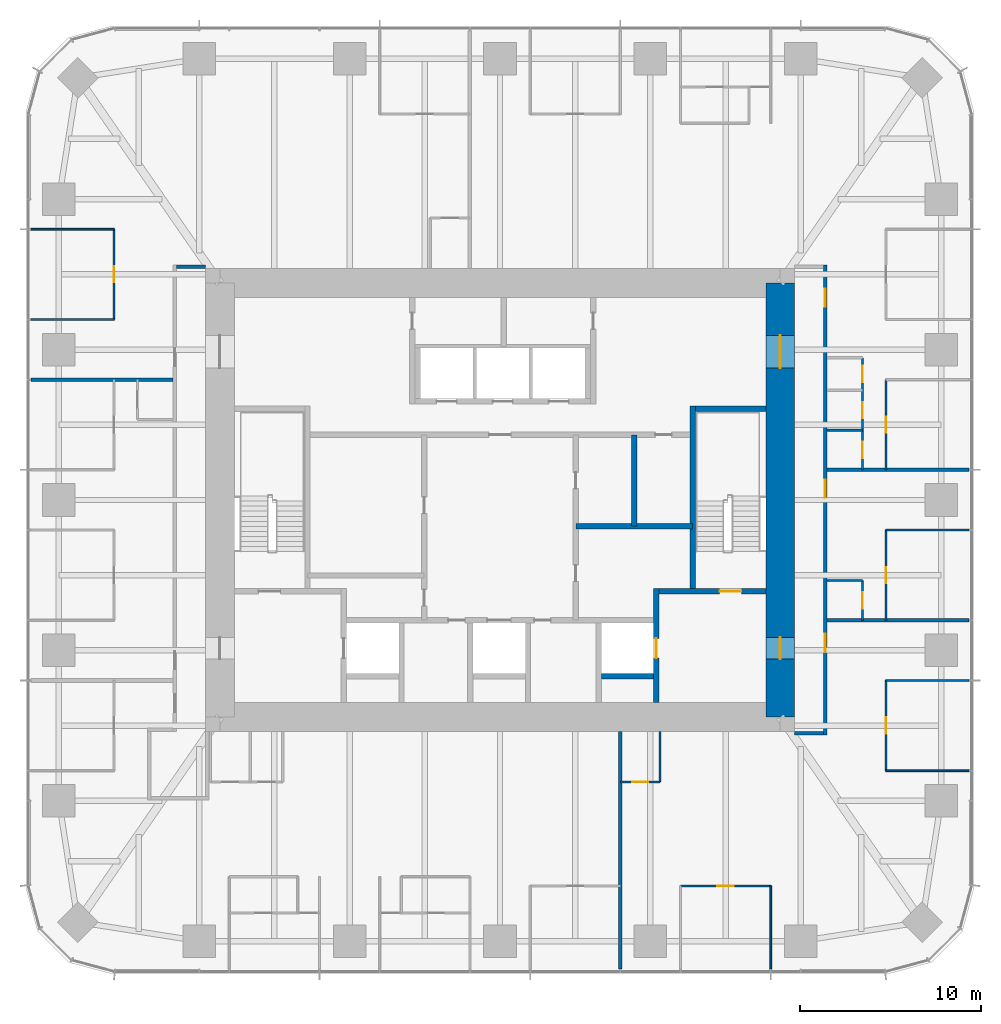
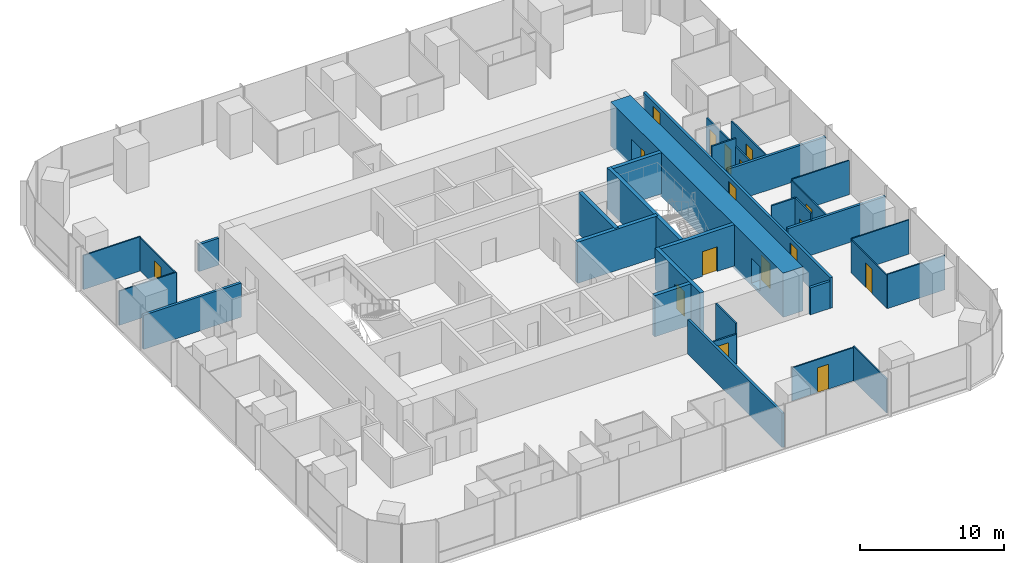
# One storey, part 10 of 12: 32 walls, 17 doors, 17 openings.
"""IFC4 building model written with IfcOpenShell, lengths in metres."""

from ifc_helpers import new_model, si_unit, direction, frame, frame_2d, origin, place, context, subcontext, project, spatial, rectangle, extrude, material, layer, layer_set, type_object, element, fill, save


model = new_model("IFC4")

# Units and contexts
model_context = context("Model", 3, precision=1e-05, world=origin(), true_north=direction((0.0, 1.0)))
body_context = subcontext(model_context, "Body", "Model", "MODEL_VIEW")
ifc_project = project(units=[si_unit("LENGTHUNIT", "METRE"), si_unit("AREAUNIT", "SQUARE_METRE"), si_unit("VOLUMEUNIT", "CUBIC_METRE"), si_unit("PLANEANGLEUNIT", "RADIAN"), si_unit("MASSUNIT", "GRAM", prefix="KILO")], contexts=[model_context])

# Site, building, storey
site_placement = place(None, origin())
site = spatial("IfcSite", under=ifc_project, at=site_placement, CompositionType="ELEMENT")
building_placement = place(site_placement, origin())
building = spatial("IfcBuilding", under=site, at=building_placement, Name="Khuree Lantern Residences", CompositionType="ELEMENT")
storey_placement = place(building_placement, frame((0.0, 0.0, 229.5)))
storey = spatial("IfcBuildingStorey", under=building, at=storey_placement, Name="L57", CompositionType="ELEMENT", Elevation=229.5)

# Wall, opening, door
ifc_material_1 = material(Name="Moisture-resistant gypsum board on steel studs", Category="steel")
ifc_layer_1 = layer(ifc_material_1, 0.125)
ifc_layer_set_1 = layer_set([ifc_layer_1], Name="BATHROOM WALL BTW125")
wall_type_1 = type_object("IfcWallType", Name="BATHROOM WALL BTW125", PredefinedType="PARTITIONING", material=ifc_layer_set_1)
wall_1_placement = place(storey_placement, frame((20.050048828125, -6.656005859375, 0.0), z_axis=(0.0, 0.0, 1.0), x_axis=(0.0, 1.0, 0.0)))
wall_1 = element("IfcWall", 1, at=wall_1_placement, inside=storey, type_object=wall_type_1, Name="L57 BATHROOM WALL 01", PredefinedType="PARTITIONING", context=body_context, shape_type="SweptSolid", body=[
    extrude(rectangle(XDim=2.199951171875, YDim=0.125, at=frame_2d((1.10009765625, 0.0))), origin(), (0.0, 0.0, 1.0), 3.5),
])
opening_1_placement = place(wall_1_placement, frame((0.64990234375, 0.0, 0.0)))
opening_1 = element("IfcOpeningElement", 2, at=opening_1_placement, cuts=wall_1, Name="Opening 57-024", PredefinedType="OPENING", context=body_context, shape_type="SweptSolid", body=[
    extrude(rectangle(XDim=0.89990234375, YDim=2.10009765625, at=frame_2d((0.449951171875, 1.050048828125))), frame((0.0, 0.072509765625, 0.0), z_axis=(0.0, -1.0, 0.0), x_axis=(1.0, 0.0, 0.0)), (0.0, 0.0, 1.0), 0.14501953125),
])
ifc_material_2 = material(Name="Timber door leaf in hardwood frame", Category="wood")
door_type_1 = type_object("IfcDoorType", Name="BATHROOM DOOR 900X2100", OperationType="SINGLE_SWING_LEFT", PredefinedType="DOOR", material=ifc_material_2)
door_1_placement = place(opening_1_placement, origin())
door_1 = element("IfcDoor", 3, at=door_1_placement, inside=storey, type_object=door_type_1, Name="Bathroom door 57-024", OperationType="SINGLE_SWING_LEFT", OverallHeight=2.10009765625, OverallWidth=0.89990234375, PredefinedType="DOOR", context=body_context, shape_type="SweptSolid", body=[
    extrude(rectangle(XDim=0.89990234375, YDim=2.10009765625, at=frame_2d((0.449951171875, 1.050048828125))), frame((0.0, 0.02490234375, 0.0), z_axis=(0.0, -1.0, 0.0), x_axis=(1.0, 0.0, 0.0)), (0.0, 0.0, 1.0), 0.050048828125),
])
fill(opening_1, door_1)

# Wall
wall_2_placement = place(storey_placement, frame((18.10009765625, -4.4560546875, 0.0), z_axis=(0.0, 0.0, 1.0), x_axis=(1.0, 0.0, 0.0)))
element("IfcWall", 4, at=wall_2_placement, inside=storey, type_object=wall_type_1, Name="L57 BATHROOM WALL 01", PredefinedType="PARTITIONING", context=body_context, shape_type="SweptSolid", body=[
    extrude(rectangle(XDim=1.949951171875, YDim=0.125, at=frame_2d((0.97509765625, 0.0))), origin(), (0.0, 0.0, 1.0), 3.5),
])

# Wall, openings, doors
wall_3_placement = place(storey_placement, frame((20.050048828125, 1.6640625, 0.0), z_axis=(0.0, 0.0, 1.0), x_axis=(0.0, 1.0, 0.0)))
wall_3 = element("IfcWall", 5, at=wall_3_placement, inside=storey, type_object=wall_type_1, Name="L57 BATHROOM WALL 02", PredefinedType="PARTITIONING", context=body_context, shape_type="SweptSolid", body=[
    extrude(rectangle(XDim=6.199951171875, YDim=0.125, at=frame_2d((3.10009765625, 0.0))), origin(), (0.0, 0.0, 1.0), 2.81005859375),
])
opening_2_placement = place(wall_3_placement, frame((0.64990234375, 0.0, 0.0)))
opening_2 = element("IfcOpeningElement", 6, at=opening_2_placement, cuts=wall_3, Name="Opening 57-031", PredefinedType="OPENING", context=body_context, shape_type="SweptSolid", body=[
    extrude(rectangle(XDim=0.89990234375, YDim=2.10009765625, at=frame_2d((0.449951171875, 1.050048828125))), frame((0.0, 0.072509765625, 0.0), z_axis=(0.0, -1.0, 0.0), x_axis=(1.0, 0.0, 0.0)), (0.0, 0.0, 1.0), 0.14501953125),
])
opening_3_placement = place(wall_3_placement, frame((2.85009765625, 0.0, 0.0)))
opening_3 = element("IfcOpeningElement", 7, at=opening_3_placement, cuts=wall_3, Name="Opening 57-032", PredefinedType="OPENING", context=body_context, shape_type="SweptSolid", body=[
    extrude(rectangle(XDim=0.89990234375, YDim=2.10009765625, at=frame_2d((0.449951171875, 1.050048828125))), frame((0.0, 0.072509765625, 0.0), z_axis=(0.0, -1.0, 0.0), x_axis=(1.0, 0.0, 0.0)), (0.0, 0.0, 1.0), 0.14501953125),
])
opening_4_placement = place(wall_3_placement, frame((4.85009765625, 0.0, 0.0)))
opening_4 = element("IfcOpeningElement", 8, at=opening_4_placement, cuts=wall_3, Name="Opening 57-033", PredefinedType="OPENING", context=body_context, shape_type="SweptSolid", body=[
    extrude(rectangle(XDim=0.89990234375, YDim=2.10009765625, at=frame_2d((0.449951171875, 1.050048828125))), frame((0.0, 0.072509765625, 0.0), z_axis=(0.0, -1.0, 0.0), x_axis=(1.0, 0.0, 0.0)), (0.0, 0.0, 1.0), 0.14501953125),
])
door_2_placement = place(opening_2_placement, origin())
door_2 = element("IfcDoor", 9, at=door_2_placement, inside=storey, type_object=door_type_1, Name="Bathroom door 57-031", OperationType="SINGLE_SWING_LEFT", OverallHeight=2.10009765625, OverallWidth=0.89990234375, PredefinedType="DOOR", context=body_context, shape_type="SweptSolid", body=[
    extrude(rectangle(XDim=0.89990234375, YDim=2.10009765625, at=frame_2d((0.449951171875, 1.050048828125))), frame((0.0, 0.02490234375, 0.0), z_axis=(0.0, -1.0, 0.0), x_axis=(1.0, 0.0, 0.0)), (0.0, 0.0, 1.0), 0.050048828125),
])
fill(opening_2, door_2)
door_3_placement = place(opening_3_placement, origin())
door_3 = element("IfcDoor", 10, at=door_3_placement, inside=storey, type_object=door_type_1, Name="Bathroom door 57-032", OperationType="SINGLE_SWING_LEFT", OverallHeight=2.10009765625, OverallWidth=0.89990234375, PredefinedType="DOOR", context=body_context, shape_type="SweptSolid", body=[
    extrude(rectangle(XDim=0.89990234375, YDim=2.10009765625, at=frame_2d((0.449951171875, 1.050048828125))), frame((0.0, 0.02490234375, 0.0), z_axis=(0.0, -1.0, 0.0), x_axis=(1.0, 0.0, 0.0)), (0.0, 0.0, 1.0), 0.050048828125),
])
fill(opening_3, door_3)
door_type_2 = type_object("IfcDoorType", Name="DOOR 900X2100", OperationType="SINGLE_SWING_LEFT", PredefinedType="DOOR", material=ifc_material_2)
door_4_placement = place(opening_4_placement, origin())
door_4 = element("IfcDoor", 11, at=door_4_placement, inside=storey, type_object=door_type_2, Name="Store door 57-033", OperationType="SINGLE_SWING_LEFT", OverallHeight=2.10009765625, OverallWidth=0.89990234375, PredefinedType="DOOR", context=body_context, shape_type="SweptSolid", body=[
    extrude(rectangle(XDim=0.89990234375, YDim=2.10009765625, at=frame_2d((0.449951171875, 1.050048828125))), frame((0.0, 0.02490234375, 0.0), z_axis=(0.0, -1.0, 0.0), x_axis=(1.0, 0.0, 0.0)), (0.0, 0.0, 1.0), 0.050048828125),
])
fill(opening_4, door_4)

# Wall
wall_4_placement = place(storey_placement, frame((18.10009765625, 3.864013671875, 0.0), z_axis=(0.0, 0.0, 1.0), x_axis=(1.0, 0.0, 0.0)))
element("IfcWall", 12, at=wall_4_placement, inside=storey, type_object=wall_type_1, Name="L57 BATHROOM WALL 02", PredefinedType="PARTITIONING", context=body_context, shape_type="SweptSolid", body=[
    extrude(rectangle(XDim=1.949951171875, YDim=0.125, at=frame_2d((0.97509765625, 0.0))), origin(), (0.0, 0.0, 1.0), 3.5),
])

# Wall, opening, door
wall_5_placement = place(storey_placement, frame((6.656005859375, -15.60009765625, 0.0), z_axis=(0.0, 0.0, 1.0), x_axis=(1.0, 0.0, 0.0)))
wall_5 = element("IfcWall", 13, at=wall_5_placement, inside=storey, type_object=wall_type_1, Name="L57 BATHROOM WALL 06", PredefinedType="PARTITIONING", context=body_context, shape_type="SweptSolid", body=[
    extrude(rectangle(XDim=2.199951171875, YDim=0.125, at=frame_2d((1.10009765625, 0.0))), origin(), (0.0, 0.0, 1.0), 2.60009765625),
])
opening_5_placement = place(wall_5_placement, frame((0.64990234375, 0.0, 0.0)))
opening_5 = element("IfcOpeningElement", 14, at=opening_5_placement, cuts=wall_5, Name="Opening 57-054", PredefinedType="OPENING", context=body_context, shape_type="SweptSolid", body=[
    extrude(rectangle(XDim=0.89990234375, YDim=2.10009765625, at=frame_2d((0.449951171875, 1.050048828125))), frame((0.0, 0.072509765625, 0.0), z_axis=(0.0, -1.0, 0.0), x_axis=(1.0, 0.0, 0.0)), (0.0, 0.0, 1.0), 0.14501953125),
])
door_5_placement = place(opening_5_placement, origin())
door_5 = element("IfcDoor", 15, at=door_5_placement, inside=storey, type_object=door_type_1, Name="Bathroom door 57-054", OperationType="SINGLE_SWING_LEFT", OverallHeight=2.10009765625, OverallWidth=0.89990234375, PredefinedType="DOOR", context=body_context, shape_type="SweptSolid", body=[
    extrude(rectangle(XDim=0.89990234375, YDim=2.10009765625, at=frame_2d((0.449951171875, 1.050048828125))), frame((0.0, 0.02490234375, 0.0), z_axis=(0.0, -1.0, 0.0), x_axis=(1.0, 0.0, 0.0)), (0.0, 0.0, 1.0), 0.050048828125),
])
fill(opening_5, door_5)

# Wall
wall_6_placement = place(storey_placement, frame((8.85595703125, -12.800048828125, 0.0), z_axis=(0.0, 0.0, 1.0), x_axis=(0.0, -1.0, 0.0)))
element("IfcWall", 16, at=wall_6_placement, inside=storey, type_object=wall_type_1, Name="L57 BATHROOM WALL 06", PredefinedType="PARTITIONING", context=body_context, shape_type="SweptSolid", body=[
    extrude(rectangle(XDim=2.800048828125, YDim=0.125, at=frame_2d((1.39990234375, 0.0))), origin(), (0.0, 0.0, 1.0), 3.5),
])

# Wall, opening, door
ifc_material_3 = material(Name="Dense concrete blockwork", Category="masonry")
ifc_layer_2 = layer(ifc_material_3, 0.300048828125)
ifc_layer_set_2 = layer_set([ifc_layer_2], Name="CORE PARTITION WALL CPW300 EI 120")
wall_type_2 = type_object("IfcWallType", Name="CORE PARTITION WALL CPW300 EI 120", PredefinedType="PARTITIONING", material=ifc_layer_set_2)
wall_7_placement = place(storey_placement, frame((8.64990234375, -11.199951171875, 0.0), z_axis=(0.0, 0.0, 1.0), x_axis=(0.0, 1.0, 0.0)))
wall_7 = element("IfcWall", 17, at=wall_7_placement, inside=storey, type_object=wall_type_2, Name="L57 CORE WALL FL2E", PredefinedType="PARTITIONING", context=body_context, shape_type="SweptSolid", body=[
    extrude(rectangle(XDim=6.300048828125, YDim=0.300048828125, at=frame_2d((3.14990234375, 0.0))), origin(), (0.0, 0.0, 1.0), 3.5),
])
opening_6_placement = place(wall_7_placement, frame((2.449951171875, 0.0, 0.0)))
opening_6 = element("IfcOpeningElement", 18, at=opening_6_placement, cuts=wall_7, Name="Opening 57-008", PredefinedType="OPENING", context=body_context, shape_type="SweptSolid", body=[
    extrude(rectangle(XDim=1.10009765625, YDim=2.10009765625, at=frame_2d((0.550048828125, 1.050048828125))), frame((0.0, 0.16015625, 0.0), z_axis=(0.0, -1.0, 0.0), x_axis=(1.0, 0.0, 0.0)), (0.0, 0.0, 1.0), 0.320068359375),
])
ifc_material_4 = material(Name="Stainless steel lift landing door", Category="steel")
door_type_3 = type_object("IfcDoorType", Name="LIFT LANDING DOOR 1100X2100 E 120", OperationType="DOUBLE_DOOR_SLIDING", PredefinedType="DOOR", material=ifc_material_4)
door_6_placement = place(opening_6_placement, origin())
door_6 = element("IfcDoor", 19, at=door_6_placement, inside=storey, type_object=door_type_3, Name="Landing door FL2 57-008", OperationType="DOUBLE_DOOR_SLIDING", OverallHeight=2.10009765625, OverallWidth=1.10009765625, PredefinedType="DOOR", context=body_context, shape_type="SweptSolid", body=[
    extrude(rectangle(XDim=1.10009765625, YDim=2.10009765625, at=frame_2d((0.550048828125, 1.050048828125))), frame((0.0, 0.02490234375, 0.0), z_axis=(0.0, -1.0, 0.0), x_axis=(1.0, 0.0, 0.0)), (0.0, 0.0, 1.0), 0.050048828125),
])
fill(opening_6, door_6)

# Walls
wall_8_placement = place(storey_placement, frame((5.60009765625, -9.75, 0.0), z_axis=(0.0, 0.0, 1.0), x_axis=(1.0, 0.0, 0.0)))
element("IfcWall", 20, at=wall_8_placement, inside=storey, type_object=wall_type_2, Name="L57 CORE WALL FL2S", PredefinedType="PARTITIONING", context=body_context, shape_type="SweptSolid", body=[
    extrude(rectangle(XDim=2.89990234375, YDim=0.300048828125, at=frame_2d((1.449951171875, 0.0))), origin(), (0.0, 0.0, 1.0), 3.5),
])
wall_9_placement = place(storey_placement, frame((10.64990234375, -1.449951171875, 0.0), z_axis=(0.0, 0.0, 1.0), x_axis=(-1.0, 0.0, 0.0)))
element("IfcWall", 21, at=wall_9_placement, inside=storey, type_object=wall_type_2, Name="L57 CORE WALL EX", PredefinedType="PARTITIONING", context=body_context, shape_type="SweptSolid", body=[
    extrude(rectangle(XDim=6.449951171875, YDim=0.300048828125, at=frame_2d((3.22509765625, 0.0))), origin(), (0.0, 0.0, 1.0), 3.5),
])
wall_10_placement = place(storey_placement, frame((7.425048828125, -1.449951171875, 0.0), z_axis=(0.0, 0.0, 1.0), x_axis=(0.0, 1.0, 0.0)))
element("IfcWall", 22, at=wall_10_placement, inside=storey, type_object=wall_type_2, Name="L57 CORE WALL EV", PredefinedType="PARTITIONING", context=body_context, shape_type="SweptSolid", body=[
    extrude(rectangle(XDim=5.050048828125, YDim=0.300048828125, at=frame_2d((2.52490234375, 0.0))), origin(), (0.0, 0.0, 1.0), 3.5),
])
ifc_material_5 = material(Name="Gypsum board on steel studs", Category="steel")
ifc_layer_3 = layer(ifc_material_5, 0.199951171875)
ifc_layer_set_3 = layer_set([ifc_layer_3], Name="CORRIDOR WALL CRW200 EI 60")
wall_type_3 = type_object("IfcWallType", Name="CORRIDOR WALL CRW200 EI 60", PredefinedType="PARTITIONING", material=ifc_layer_set_3)
for number, where, z_axis, x_axis, name in (
    (23, (16.300048828125, -12.89990234375, 0.0), (0.0, 0.0, 1.0), (1.0, 0.0, 0.0), "L57 EAST CORRIDOR SOUTH END WALL"),
    (24, (-16.300048828125, 12.89990234375, 0.0), (0.0, 0.0, 1.0), (-1.0, 0.0, 0.0), "L57 WEST CORRIDOR NORTH END WALL"),
):
    element("IfcWall", number, at=place(storey_placement, frame(where, z_axis=z_axis, x_axis=x_axis)), inside=storey, type_object=wall_type_3, Name=name, PredefinedType="PARTITIONING", context=body_context, shape_type="SweptSolid", body=[
        extrude(rectangle(XDim=1.599853515625, YDim=0.199951171875, at=frame_2d((0.7998046875, 0.0))), origin(), (0.0, 0.0, 1.0), 2.300048828125),
    ])

# Wall, openings, doors
wall_11_placement = place(storey_placement, frame((18.0, -13.0, 0.0), z_axis=(0.0, 0.0, 1.0), x_axis=(0.0, 1.0, 0.0)))
wall_11 = element("IfcWall", 25, at=wall_11_placement, inside=storey, type_object=wall_type_3, Name="L57 CORRIDOR WALL EAST 1", PredefinedType="PARTITIONING", context=body_context, shape_type="SweptSolid", body=[
    extrude(rectangle(XDim=26.0, YDim=0.199951171875, at=frame_2d((13.0, 0.0))), origin(), (0.0, 0.0, 1.0), 2.60009765625),
])
opening_7_placement = place(wall_11_placement, frame((13.114013671875, 0.0, 0.0)))
opening_7 = element("IfcOpeningElement", 26, at=opening_7_placement, cuts=wall_11, Name="Opening 57-025", PredefinedType="OPENING", context=body_context, shape_type="SweptSolid", body=[
    extrude(rectangle(XDim=1.0, YDim=2.199951171875, at=frame_2d((0.5, 1.10009765625))), frame((0.0, 0.10986328125, 0.0), z_axis=(0.0, -1.0, 0.0), x_axis=(1.0, 0.0, 0.0)), (0.0, 0.0, 1.0), 0.219970703125),
])
opening_8_placement = place(wall_11_placement, frame((23.68408203125, 0.0, 0.0)))
opening_8 = element("IfcOpeningElement", 27, at=opening_8_placement, cuts=wall_11, Name="Opening 57-034", PredefinedType="OPENING", context=body_context, shape_type="SweptSolid", body=[
    extrude(rectangle(XDim=1.0, YDim=2.199951171875, at=frame_2d((0.5, 1.10009765625))), frame((0.0, 0.10986328125, 0.0), z_axis=(0.0, -1.0, 0.0), x_axis=(1.0, 0.0, 0.0)), (0.0, 0.0, 1.0), 0.219970703125),
])
opening_9_placement = place(wall_11_placement, frame((4.60009765625, 0.0, 0.0)))
opening_9 = element("IfcOpeningElement", 28, at=opening_9_placement, cuts=wall_11, Name="Opening 57-055", PredefinedType="OPENING", context=body_context, shape_type="SweptSolid", body=[
    extrude(rectangle(XDim=1.0, YDim=2.199951171875, at=frame_2d((0.5, 1.10009765625))), frame((0.0, 0.10986328125, 0.0), z_axis=(0.0, -1.0, 0.0), x_axis=(1.0, 0.0, 0.0)), (0.0, 0.0, 1.0), 0.219970703125),
])
door_type_4 = type_object("IfcDoorType", Name="APARTMENT ENTRANCE DOOR 1000X2200 EI 30S", OperationType="SINGLE_SWING_LEFT", PredefinedType="DOOR", material=ifc_material_2)
door_7_placement = place(opening_7_placement, origin())
door_7 = element("IfcDoor", 29, at=door_7_placement, inside=storey, type_object=door_type_4, Name="Apartment 01 entrance door 57-025", OperationType="SINGLE_SWING_LEFT", OverallHeight=2.199951171875, OverallWidth=1.0, PredefinedType="DOOR", context=body_context, shape_type="SweptSolid", body=[
    extrude(rectangle(XDim=1.0, YDim=2.199951171875, at=frame_2d((0.5, 1.10009765625))), frame((0.0, 0.02490234375, 0.0), z_axis=(0.0, -1.0, 0.0), x_axis=(1.0, 0.0, 0.0)), (0.0, 0.0, 1.0), 0.050048828125),
])
fill(opening_7, door_7)
door_8_placement = place(opening_9_placement, origin())
door_8 = element("IfcDoor", 30, at=door_8_placement, inside=storey, type_object=door_type_4, Name="Apartment 06 entrance door 57-055", OperationType="SINGLE_SWING_LEFT", OverallHeight=2.199951171875, OverallWidth=1.0, PredefinedType="DOOR", context=body_context, shape_type="SweptSolid", body=[
    extrude(rectangle(XDim=1.0, YDim=2.199951171875, at=frame_2d((0.5, 1.10009765625))), frame((0.0, 0.02490234375, 0.0), z_axis=(0.0, -1.0, 0.0), x_axis=(1.0, 0.0, 0.0)), (0.0, 0.0, 1.0), 0.050048828125),
])
fill(opening_9, door_8)
door_type_5 = type_object("IfcDoorType", Name="APARTMENT ENTRANCE DOOR 1000X2200 EI 30S RIGHT HAND", OperationType="SINGLE_SWING_RIGHT", PredefinedType="DOOR", material=ifc_material_2)
door_9_placement = place(opening_8_placement, origin())
door_9 = element("IfcDoor", 31, at=door_9_placement, inside=storey, type_object=door_type_5, Name="Apartment 02 entrance door 57-034", OperationType="SINGLE_SWING_RIGHT", OverallHeight=2.199951171875, OverallWidth=1.0, PredefinedType="DOOR", context=body_context, shape_type="SweptSolid", body=[
    extrude(rectangle(XDim=1.0, YDim=2.199951171875, at=frame_2d((0.5, 1.10009765625))), frame((0.0, 0.02490234375, 0.0), z_axis=(0.0, -1.0, 0.0), x_axis=(1.0, 0.0, 0.0)), (0.0, 0.0, 1.0), 0.050048828125),
])
fill(opening_8, door_9)

ifc_material_6 = material(Name="Concrete C50/60", Category="concrete")
ifc_layer_4 = layer(ifc_material_6, 1.60009765625)
ifc_layer_set_4 = layer_set([ifc_layer_4], Name="CW1600-C50 CORE WALL C50 1600")
wall_type_4 = type_object("IfcWallType", Name="CW1600-C50 CORE WALL C50 1600", PredefinedType="SHEAR", material=ifc_layer_set_4)
wall_12_placement = place(storey_placement, frame((15.5, -12.0, -0.25), z_axis=(0.0, 0.0, 1.0), x_axis=(0.0, 1.0, 0.0)))
wall_12 = element("IfcWall", 32, at=wall_12_placement, inside=storey, type_object=wall_type_4, Name="Core wall E", PredefinedType="SHEAR", context=body_context, shape_type="SweptSolid", body=[
    extrude(rectangle(XDim=24.0, YDim=1.60009765625, at=frame_2d((12.0, 0.0))), origin(), (0.0, 0.0, 1.0), 3.75),
])
opening_10_placement = place(wall_12_placement, frame((3.199951171875, 0.0, 0.25)))
opening_10 = element("IfcOpeningElement", 33, at=opening_10_placement, cuts=wall_12, Name="Opening 57-005", PredefinedType="OPENING", context=body_context, shape_type="SweptSolid", body=[
    extrude(rectangle(XDim=1.199951171875, YDim=2.10009765625, at=frame_2d((0.60009765625, 1.050048828125))), frame((0.0, 0.81005859375, 0.0), z_axis=(0.0, -1.0, 0.0), x_axis=(1.0, 0.0, 0.0)), (0.0, 0.0, 1.0), 1.6201171875),
])
opening_11_placement = place(wall_12_placement, frame((19.300048828125, 0.0, 0.25)))
opening_11 = element("IfcOpeningElement", 34, at=opening_11_placement, cuts=wall_12, Name="Opening 57-006", PredefinedType="OPENING", context=body_context, shape_type="SweptSolid", body=[
    extrude(rectangle(XDim=1.800048828125, YDim=2.10009765625, at=frame_2d((0.89990234375, 1.050048828125))), frame((0.0, 0.81005859375, 0.0), z_axis=(0.0, -1.0, 0.0), x_axis=(1.0, 0.0, 0.0)), (0.0, 0.0, 1.0), 1.6201171875),
])
ifc_material_7 = material(Name="Steel door leaf in steel frame", Category="steel")
door_type_6 = type_object("IfcDoorType", Name="LOBBY DOOR 1200X2100 EI 120", OperationType="SINGLE_SWING_LEFT", PredefinedType="DOOR", material=ifc_material_7)
door_10_placement = place(opening_10_placement, origin())
door_10 = element("IfcDoor", 35, at=door_10_placement, inside=storey, type_object=door_type_6, Name="Firefighting lobby door 57-005", OperationType="SINGLE_SWING_LEFT", OverallHeight=2.10009765625, OverallWidth=1.199951171875, PredefinedType="DOOR", context=body_context, shape_type="SweptSolid", body=[
    extrude(rectangle(XDim=1.199951171875, YDim=2.10009765625, at=frame_2d((0.60009765625, 1.050048828125))), frame((0.0, 0.02490234375, 0.0), z_axis=(0.0, -1.0, 0.0), x_axis=(1.0, 0.0, 0.0)), (0.0, 0.0, 1.0), 0.050048828125),
])
fill(opening_10, door_10)
door_type_7 = type_object("IfcDoorType", Name="LOBBY DOUBLE DOOR 1800X2100 EI 60", OperationType="DOUBLE_DOOR_SINGLE_SWING", PredefinedType="DOOR", material=ifc_material_7)
door_11_placement = place(opening_11_placement, origin())
door_11 = element("IfcDoor", 36, at=door_11_placement, inside=storey, type_object=door_type_7, Name="Lift lobby door 57-006", OperationType="DOUBLE_DOOR_SINGLE_SWING", OverallHeight=2.10009765625, OverallWidth=1.800048828125, PredefinedType="DOOR", context=body_context, shape_type="SweptSolid", body=[
    extrude(rectangle(XDim=1.800048828125, YDim=2.10009765625, at=frame_2d((0.89990234375, 1.050048828125))), frame((0.0, 0.02490234375, 0.0), z_axis=(0.0, -1.0, 0.0), x_axis=(1.0, 0.0, 0.0)), (0.0, 0.0, 1.0), 0.050048828125),
])
fill(opening_11, door_11)

# Walls
ifc_layer_5 = layer(ifc_material_5, 0.199951171875)
ifc_layer_set_5 = layer_set([ifc_layer_5], Name="DEMISING WALL DMW200 EI 90")
wall_type_5 = type_object("IfcWallType", Name="DEMISING WALL DMW200 EI 90", PredefinedType="PARTITIONING", material=ifc_layer_set_5)
for number, where, z_axis, x_axis, name in (
    (37, (18.10009765625, -6.656005859375, 0.0), (0.0, 0.0, 1.0), (1.0, 0.0, 0.0), "L57 DEMISING WALL 01"),
    (38, (18.10009765625, 1.6640625, 0.0), (0.0, 0.0, 1.0), (1.0, 0.0, 0.0), "L57 DEMISING WALL 02"),
    (39, (-18.10009765625, 6.656005859375, 0.0), (0.0, 0.0, 1.0), (-1.0, 0.0, 0.0), "L57 DEMISING WALL 04"),
):
    element("IfcWall", number, at=place(storey_placement, frame(where, z_axis=z_axis, x_axis=x_axis)), inside=storey, type_object=wall_type_5, Name=name, PredefinedType="PARTITIONING", context=body_context, shape_type="SweptSolid", body=[
        extrude(rectangle(XDim=7.849853515625, YDim=0.199951171875, at=frame_2d((3.9248046875, 0.0))), origin(), (0.0, 0.0, 1.0), 2.909912109375),
    ])
wall_13_placement = place(storey_placement, frame((6.656005859375, -12.800048828125, 0.0), z_axis=(0.0, 0.0, 1.0), x_axis=(0.0, -1.0, 0.0)))
element("IfcWall", 40, at=wall_13_placement, inside=storey, type_object=wall_type_5, Name="L57 DEMISING WALL 06", PredefinedType="PARTITIONING", context=body_context, shape_type="SweptSolid", body=[
    extrude(rectangle(XDim=13.14990234375, YDim=0.199951171875, at=frame_2d((6.574951171875, 0.0))), origin(), (0.0, 0.0, 1.0), 2.909912109375),
])
ifc_layer_6 = layer(ifc_material_5, 0.10009765625)
ifc_layer_set_6 = layer_set([ifc_layer_6], Name="PARTITION PT100")
wall_type_6 = type_object("IfcWallType", Name="PARTITION PT100", PredefinedType="PARTITIONING", material=ifc_layer_set_6)
for number, where, z_axis, x_axis, name in (
    (41, (21.35009765625, -1.6640625, 0.0), (0.0, 0.0, 1.0), (1.0, 0.0, 0.0), "L57 PARTITION 01"),
    (42, (-21.35009765625, 14.97607421875, 0.0), (0.0, 0.0, 1.0), (-1.0, 0.0, 0.0), "L57 PARTITION 03"),
    (43, (-21.35009765625, 9.98388671875, 0.0), (0.0, 0.0, 1.0), (-1.0, 0.0, 0.0), "L57 PARTITION 03"),
    (44, (14.97607421875, -21.35009765625, 0.0), (0.0, 0.0, 1.0), (0.0, -1.0, 0.0), "L57 PARTITION 06"),
    (45, (21.35009765625, -14.97607421875, 0.0), (0.0, 0.0, 1.0), (1.0, 0.0, 0.0), "L57 PARTITION 06"),
    (46, (21.35009765625, -9.98388671875, 0.0), (0.0, 0.0, 1.0), (1.0, 0.0, 0.0), "L57 PARTITION 06"),
):
    element("IfcWall", number, at=place(storey_placement, frame(where, z_axis=z_axis, x_axis=x_axis)), inside=storey, type_object=wall_type_6, Name=name, PredefinedType="PARTITIONING", context=body_context, shape_type="SweptSolid", body=[
        extrude(rectangle(XDim=4.599853515625, YDim=0.10009765625, at=frame_2d((2.2998046875, 0.0))), origin(), (0.0, 0.0, 1.0), 2.909912109375),
    ])

# Wall, opening, door
wall_14_placement = place(storey_placement, frame((21.35009765625, -6.656005859375, 0.0), z_axis=(0.0, 0.0, 1.0), x_axis=(0.0, 1.0, 0.0)))
wall_14 = element("IfcWall", 47, at=wall_14_placement, inside=storey, type_object=wall_type_6, Name="L57 PARTITION 01", PredefinedType="PARTITIONING", context=body_context, shape_type="SweptSolid", body=[
    extrude(rectangle(XDim=4.991943359375, YDim=0.10009765625, at=frame_2d((2.49609375, 0.0))), origin(), (0.0, 0.0, 1.0), 2.81005859375),
])
opening_12_placement = place(wall_14_placement, frame((2.0458984375, 0.0, 0.0)))
opening_12 = element("IfcOpeningElement", 48, at=opening_12_placement, cuts=wall_14, Name="Opening 57-023", PredefinedType="OPENING", context=body_context, shape_type="SweptSolid", body=[
    extrude(rectangle(XDim=0.89990234375, YDim=2.10009765625, at=frame_2d((0.449951171875, 1.050048828125))), frame((0.0, 0.06005859375, 0.0), z_axis=(0.0, -1.0, 0.0), x_axis=(1.0, 0.0, 0.0)), (0.0, 0.0, 1.0), 0.1201171875),
])
door_type_8 = type_object("IfcDoorType", Name="BEDROOM DOOR 900X2100", OperationType="SINGLE_SWING_LEFT", PredefinedType="DOOR", material=ifc_material_2)
door_12_placement = place(opening_12_placement, origin())
door_12 = element("IfcDoor", 49, at=door_12_placement, inside=storey, type_object=door_type_8, Name="Bedroom door 57-023", OperationType="SINGLE_SWING_LEFT", OverallHeight=2.10009765625, OverallWidth=0.89990234375, PredefinedType="DOOR", context=body_context, shape_type="SweptSolid", body=[
    extrude(rectangle(XDim=0.89990234375, YDim=2.10009765625, at=frame_2d((0.449951171875, 1.050048828125))), frame((0.0, 0.02490234375, 0.0), z_axis=(0.0, -1.0, 0.0), x_axis=(1.0, 0.0, 0.0)), (0.0, 0.0, 1.0), 0.050048828125),
])
fill(opening_12, door_12)

wall_15_placement = place(storey_placement, frame((21.35009765625, 1.6640625, 0.0), z_axis=(0.0, 0.0, 1.0), x_axis=(0.0, 1.0, 0.0)))
wall_15 = element("IfcWall", 50, at=wall_15_placement, inside=storey, type_object=wall_type_6, Name="L57 PARTITION 02", PredefinedType="PARTITIONING", context=body_context, shape_type="SweptSolid", body=[
    extrude(rectangle(XDim=4.991943359375, YDim=0.10009765625, at=frame_2d((2.49609375, 0.0))), origin(), (0.0, 0.0, 1.0), 2.81005859375),
])
opening_13_placement = place(wall_15_placement, frame((2.0458984375, 0.0, 0.0)))
opening_13 = element("IfcOpeningElement", 51, at=opening_13_placement, cuts=wall_15, Name="Opening 57-026", PredefinedType="OPENING", context=body_context, shape_type="SweptSolid", body=[
    extrude(rectangle(XDim=0.89990234375, YDim=2.10009765625, at=frame_2d((0.449951171875, 1.050048828125))), frame((0.0, 0.06005859375, 0.0), z_axis=(0.0, -1.0, 0.0), x_axis=(1.0, 0.0, 0.0)), (0.0, 0.0, 1.0), 0.1201171875),
])
door_13_placement = place(opening_13_placement, origin())
door_13 = element("IfcDoor", 52, at=door_13_placement, inside=storey, type_object=door_type_8, Name="Bedroom door 57-026", OperationType="SINGLE_SWING_LEFT", OverallHeight=2.10009765625, OverallWidth=0.89990234375, PredefinedType="DOOR", context=body_context, shape_type="SweptSolid", body=[
    extrude(rectangle(XDim=0.89990234375, YDim=2.10009765625, at=frame_2d((0.449951171875, 1.050048828125))), frame((0.0, 0.02490234375, 0.0), z_axis=(0.0, -1.0, 0.0), x_axis=(1.0, 0.0, 0.0)), (0.0, 0.0, 1.0), 0.050048828125),
])
fill(opening_13, door_13)

wall_16_placement = place(storey_placement, frame((-21.35009765625, 14.97607421875, 0.0), z_axis=(0.0, 0.0, 1.0), x_axis=(0.0, -1.0, 0.0)))
wall_16 = element("IfcWall", 53, at=wall_16_placement, inside=storey, type_object=wall_type_6, Name="L57 PARTITION 03", PredefinedType="PARTITIONING", context=body_context, shape_type="SweptSolid", body=[
    extrude(rectangle(XDim=4.9921875, YDim=0.10009765625, at=frame_2d((2.49609375, 0.0))), origin(), (0.0, 0.0, 1.0), 2.81005859375),
])
opening_14_placement = place(wall_16_placement, frame((2.0458984375, 0.0, 0.0)))
opening_14 = element("IfcOpeningElement", 54, at=opening_14_placement, cuts=wall_16, Name="Opening 57-036", PredefinedType="OPENING", context=body_context, shape_type="SweptSolid", body=[
    extrude(rectangle(XDim=0.89990234375, YDim=2.10009765625, at=frame_2d((0.449951171875, 1.050048828125))), frame((0.0, 0.06005859375, 0.0), z_axis=(0.0, -1.0, 0.0), x_axis=(1.0, 0.0, 0.0)), (0.0, 0.0, 1.0), 0.1201171875),
])
door_14_placement = place(opening_14_placement, origin())
door_14 = element("IfcDoor", 55, at=door_14_placement, inside=storey, type_object=door_type_8, Name="Bedroom door 57-036", OperationType="SINGLE_SWING_LEFT", OverallHeight=2.10009765625, OverallWidth=0.89990234375, PredefinedType="DOOR", context=body_context, shape_type="SweptSolid", body=[
    extrude(rectangle(XDim=0.89990234375, YDim=2.10009765625, at=frame_2d((0.449951171875, 1.050048828125))), frame((0.0, 0.02490234375, 0.0), z_axis=(0.0, -1.0, 0.0), x_axis=(1.0, 0.0, 0.0)), (0.0, 0.0, 1.0), 0.050048828125),
])
fill(opening_14, door_14)

wall_17_placement = place(storey_placement, frame((9.98388671875, -21.35009765625, 0.0), z_axis=(0.0, 0.0, 1.0), x_axis=(1.0, 0.0, 0.0)))
wall_17 = element("IfcWall", 56, at=wall_17_placement, inside=storey, type_object=wall_type_6, Name="L57 PARTITION 06", PredefinedType="PARTITIONING", context=body_context, shape_type="SweptSolid", body=[
    extrude(rectangle(XDim=4.9921875, YDim=0.10009765625, at=frame_2d((2.49609375, 0.0))), origin(), (0.0, 0.0, 1.0), 2.81005859375),
])
opening_15_placement = place(wall_17_placement, frame((2.0458984375, 0.0, 0.0)))
opening_15 = element("IfcOpeningElement", 57, at=opening_15_placement, cuts=wall_17, Name="Opening 57-052", PredefinedType="OPENING", context=body_context, shape_type="SweptSolid", body=[
    extrude(rectangle(XDim=0.89990234375, YDim=2.10009765625, at=frame_2d((0.449951171875, 1.050048828125))), frame((0.0, 0.06005859375, 0.0), z_axis=(0.0, -1.0, 0.0), x_axis=(1.0, 0.0, 0.0)), (0.0, 0.0, 1.0), 0.1201171875),
])
door_15_placement = place(opening_15_placement, origin())
door_15 = element("IfcDoor", 58, at=door_15_placement, inside=storey, type_object=door_type_8, Name="Bedroom door 57-052", OperationType="SINGLE_SWING_LEFT", OverallHeight=2.10009765625, OverallWidth=0.89990234375, PredefinedType="DOOR", context=body_context, shape_type="SweptSolid", body=[
    extrude(rectangle(XDim=0.89990234375, YDim=2.10009765625, at=frame_2d((0.449951171875, 1.050048828125))), frame((0.0, 0.02490234375, 0.0), z_axis=(0.0, -1.0, 0.0), x_axis=(1.0, 0.0, 0.0)), (0.0, 0.0, 1.0), 0.050048828125),
])
fill(opening_15, door_15)

wall_18_placement = place(storey_placement, frame((21.35009765625, -14.97607421875, 0.0), z_axis=(0.0, 0.0, 1.0), x_axis=(0.0, 1.0, 0.0)))
wall_18 = element("IfcWall", 59, at=wall_18_placement, inside=storey, type_object=wall_type_6, Name="L57 PARTITION 06", PredefinedType="PARTITIONING", context=body_context, shape_type="SweptSolid", body=[
    extrude(rectangle(XDim=4.9921875, YDim=0.10009765625, at=frame_2d((2.49609375, 0.0))), origin(), (0.0, 0.0, 1.0), 2.81005859375),
])
opening_16_placement = place(wall_18_placement, frame((2.0458984375, 0.0, 0.0)))
opening_16 = element("IfcOpeningElement", 60, at=opening_16_placement, cuts=wall_18, Name="Opening 57-053", PredefinedType="OPENING", context=body_context, shape_type="SweptSolid", body=[
    extrude(rectangle(XDim=0.89990234375, YDim=2.10009765625, at=frame_2d((0.449951171875, 1.050048828125))), frame((0.0, 0.06005859375, 0.0), z_axis=(0.0, -1.0, 0.0), x_axis=(1.0, 0.0, 0.0)), (0.0, 0.0, 1.0), 0.1201171875),
])
door_16_placement = place(opening_16_placement, origin())
door_16 = element("IfcDoor", 61, at=door_16_placement, inside=storey, type_object=door_type_8, Name="Bedroom door 57-053", OperationType="SINGLE_SWING_LEFT", OverallHeight=2.10009765625, OverallWidth=0.89990234375, PredefinedType="DOOR", context=body_context, shape_type="SweptSolid", body=[
    extrude(rectangle(XDim=0.89990234375, YDim=2.10009765625, at=frame_2d((0.449951171875, 1.050048828125))), frame((0.0, 0.02490234375, 0.0), z_axis=(0.0, -1.0, 0.0), x_axis=(1.0, 0.0, 0.0)), (0.0, 0.0, 1.0), 0.050048828125),
])
fill(opening_16, door_16)

# Wall
ifc_layer_7 = layer(ifc_material_6, 0.300048828125)
ifc_layer_set_7 = layer_set([ifc_layer_7], Name="STAIR WALL SRW300 C50/60 REI 240")
wall_type_7 = type_object("IfcWallType", Name="STAIR WALL SRW300 C50/60 REI 240", PredefinedType="SOLIDWALL", material=ifc_layer_set_7)
wall_19_placement = place(storey_placement, frame((10.64990234375, -4.89990234375, 0.0), z_axis=(0.0, 0.0, 1.0), x_axis=(0.0, 1.0, 0.0)))
element("IfcWall", 62, at=wall_19_placement, inside=storey, type_object=wall_type_7, Name="L57 STAIR WALL ST2E", PredefinedType="SOLIDWALL", context=body_context, shape_type="SweptSolid", body=[
    extrude(rectangle(XDim=10.099853515625, YDim=0.300048828125, at=frame_2d((5.0498046875, 0.0))), origin(), (0.0, 0.0, 1.0), 3.5),
])

# Wall, opening, door
wall_20_placement = place(storey_placement, frame((14.699951171875, -5.050048828125, 0.0), z_axis=(0.0, 0.0, 1.0), x_axis=(-1.0, 0.0, 0.0)))
wall_20 = element("IfcWall", 63, at=wall_20_placement, inside=storey, type_object=wall_type_7, Name="L57 STAIR WALL ST2S", PredefinedType="SOLIDWALL", context=body_context, shape_type="SweptSolid", body=[
    extrude(rectangle(XDim=5.89990234375, YDim=0.300048828125, at=frame_2d((2.949951171875, 0.0))), origin(), (0.0, 0.0, 1.0), 3.5),
])
opening_17_placement = place(wall_20_placement, frame((1.35009765625, 0.0, 0.0)))
opening_17 = element("IfcOpeningElement", 64, at=opening_17_placement, cuts=wall_20, Name="Opening 57-004", PredefinedType="OPENING", context=body_context, shape_type="SweptSolid", body=[
    extrude(rectangle(XDim=1.199951171875, YDim=2.10009765625, at=frame_2d((0.60009765625, 1.050048828125))), frame((0.0, 0.16015625, 0.0), z_axis=(0.0, -1.0, 0.0), x_axis=(1.0, 0.0, 0.0)), (0.0, 0.0, 1.0), 0.320068359375),
])
door_type_9 = type_object("IfcDoorType", Name="STAIR DOOR 1200X2100 EI 120", OperationType="SINGLE_SWING_LEFT", PredefinedType="DOOR", material=ifc_material_7)
door_17_placement = place(opening_17_placement, origin())
door_17 = element("IfcDoor", 65, at=door_17_placement, inside=storey, type_object=door_type_9, Name="Stair ST2 door 57-004", OperationType="SINGLE_SWING_LEFT", OverallHeight=2.10009765625, OverallWidth=1.199951171875, PredefinedType="DOOR", context=body_context, shape_type="SweptSolid", body=[
    extrude(rectangle(XDim=1.199951171875, YDim=2.10009765625, at=frame_2d((0.60009765625, 1.050048828125))), frame((0.0, 0.02490234375, 0.0), z_axis=(0.0, -1.0, 0.0), x_axis=(1.0, 0.0, 0.0)), (0.0, 0.0, 1.0), 0.050048828125),
])
fill(opening_17, door_17)

# Wall
wall_21_placement = place(storey_placement, frame((14.699951171875, 5.050048828125, 0.0), z_axis=(0.0, 0.0, 1.0), x_axis=(-1.0, 0.0, 0.0)))
element("IfcWall", 66, at=wall_21_placement, inside=storey, type_object=wall_type_7, Name="L57 STAIR WALL ST2N", PredefinedType="SOLIDWALL", context=body_context, shape_type="SweptSolid", body=[
    extrude(rectangle(XDim=3.89990234375, YDim=0.300048828125, at=frame_2d((1.949951171875, 0.0))), origin(), (0.0, 0.0, 1.0), 3.5),
])

save(model, "model.ifc")
